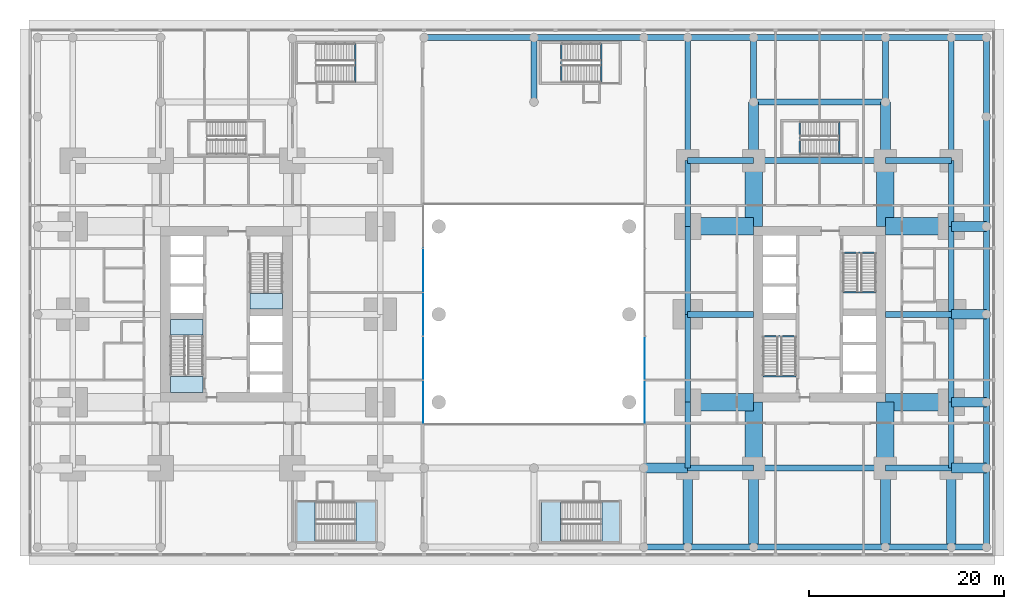
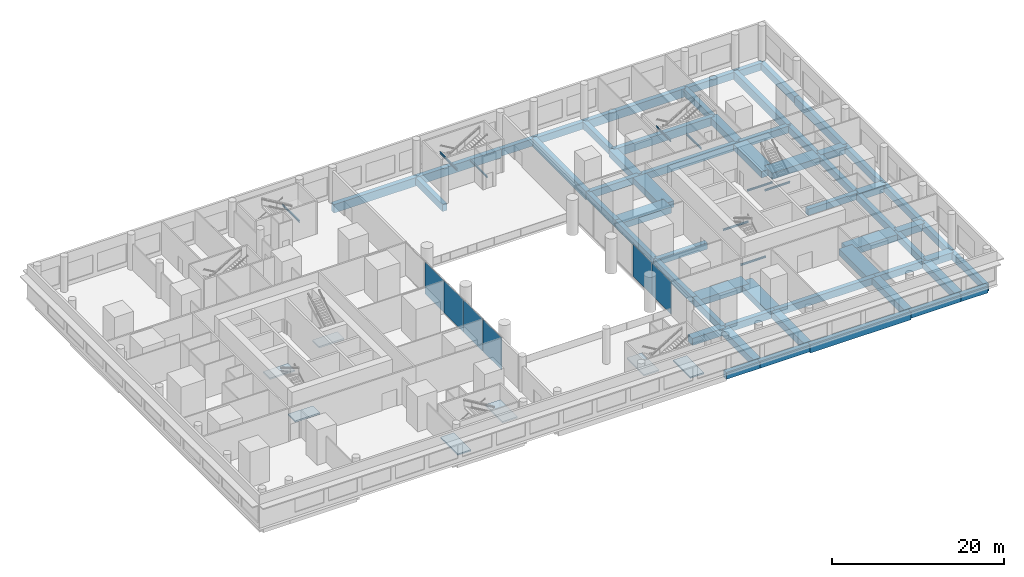
# One storey, part 7 of 21: 68 beams, 7 slabs, 6 plates, 6 elements without a shape of their own.
"""IFC4 building model written with IfcOpenShell, lengths in metres."""

from ifc_helpers import new_model, si_unit, direction, frame, origin, origin_2d, place, context, subcontext, project, spatial, polyline, rectangle, i_section, outline, extrude, material, layer, layer_set, material_profile, profile_set, type_object, element, aggregate, save


model = new_model("IFC4")

# Units and contexts
model_context = context("Model", 3, precision=1e-05, world=origin(), true_north=direction((0.0, 1.0)))
body_context = subcontext(model_context, "Body", "Model", "MODEL_VIEW")
ifc_project = project(units=[si_unit("LENGTHUNIT", "METRE"), si_unit("AREAUNIT", "SQUARE_METRE"), si_unit("VOLUMEUNIT", "CUBIC_METRE"), si_unit("PLANEANGLEUNIT", "RADIAN"), si_unit("MASSUNIT", "GRAM", prefix="KILO")], contexts=[model_context])

# Site, building, storey
site_placement = place(None, origin())
site = spatial("IfcSite", under=ifc_project, at=site_placement, CompositionType="ELEMENT")
building_placement = place(site_placement, origin())
building = spatial("IfcBuilding", under=site, at=building_placement, Name="Namib Vertical Campus", CompositionType="ELEMENT")
storey_placement = place(building_placement, frame((0.0, 0.0, 6.0)))
storey = spatial("IfcBuildingStorey", under=building, at=storey_placement, Name="L01", CompositionType="ELEMENT", Elevation=6.0)

# Beams
ifc_material_1 = material(Name="Concrete C40/50", Category="concrete")
ifc_material_profile_1 = material_profile(ifc_material_1, rectangle(XDim=0.60009765625, YDim=0.89990234375, at=origin_2d()))
ifc_profile_set_1 = profile_set([ifc_material_profile_1], Name="Concrete C40/50")
beam_type_1 = type_object("IfcBeamType", Name="Floor girder RC 600x900", PredefinedType="BEAM", material=ifc_profile_set_1)
for number, where, z_axis, x_axis, name in (
    (1, (67.5, 20.25, -0.75), (1.0, 0.0, 0.0), (0.0, 1.0, 0.0), "Beam B2 L01"),
    (2, (94.5, 20.25, -0.75), (-1.0, 0.0, 0.0), (0.0, -1.0, 0.0), "Beam B2 L01"),
):
    element("IfcBeam", number, at=place(storey_placement, frame(where, z_axis=z_axis, x_axis=x_axis)), inside=storey, type_object=beam_type_1, Name=name, PredefinedType="BEAM", context=body_context, shape_type="SweptSolid", body=[
        extrude(rectangle(XDim=0.60009765625, YDim=0.89990234375, at=origin_2d()), origin(), (0.0, 0.0, 1.0), 6.75),
    ])
ifc_material_2 = material(Name="Steel S355JR", Category="steel")
ifc_material_profile_2 = material_profile(ifc_material_2, i_section(OverallWidth=0.14599609375, OverallDepth=0.25146484375, WebThickness=0.006103515625, FlangeThickness=0.008544921875, FilletRadius=0.007568359375, at=origin_2d()))
ifc_profile_set_2 = profile_set([ifc_material_profile_2], Name="Steel S355JR")
beam_type_2 = type_object("IfcBeamType", Name="Landing trimmer UB 254x146x31", PredefinedType="BEAM", material=ifc_profile_set_2)
for number, where, z_axis, x_axis, name in (
    (3, (75.199951171875, 13.927001953125, -0.125732421875), (1.0, 0.0, 0.0), (0.0, 1.0, 0.0), "Landing trimmer LT1 B-S1 L01 1"),
    (4, (75.199951171875, 17.9931640625, 2.374267578125), (1.0, 0.0, 0.0), (0.0, 1.0, 0.0), "Landing trimmer LT1 B-S1 L01 2"),
    (5, (83.39990234375, 26.572998046875, -0.125732421875), (1.0, 0.0, 0.0), (0.0, 1.0, 0.0), "Landing trimmer LT1 B-S2 L01 1"),
    (6, (83.39990234375, 22.5068359375, 2.374267578125), (1.0, 0.0, 0.0), (0.0, 1.0, 0.0), "Landing trimmer LT1 B-S2 L01 2"),
):
    element("IfcBeam", number, at=place(storey_placement, frame(where, z_axis=z_axis, x_axis=x_axis)), inside=storey, type_object=beam_type_2, Name=name, PredefinedType="BEAM", context=body_context, shape_type="SweptSolid", body=[
        extrude(i_section(OverallWidth=0.14599609375, OverallDepth=0.25146484375, WebThickness=0.006103515625, FlangeThickness=0.008544921875, FilletRadius=0.007568359375, at=origin_2d()), origin(), (0.0, 0.0, 1.0), 3.400146484375),
    ])
for number, where, z_axis, x_axis, name in (
    (7, (33.439208984375, 44.0, 2.374267578125), (0.0, 1.0, 0.0), (-1.0, 0.0, 0.0), "Landing trimmer LT1 P-S1 L01 2"),
    (8, (58.626953125, 44.0, -0.125732421875), (0.0, 1.0, 0.0), (-1.0, 0.0, 0.0), "Landing trimmer LT1 P-S3 L01 1"),
    (9, (54.560791015625, 44.0, 2.374267578125), (0.0, 1.0, 0.0), (-1.0, 0.0, 0.0), "Landing trimmer LT1 P-S3 L01 2"),
):
    element("IfcBeam", number, at=place(storey_placement, frame(where, z_axis=z_axis, x_axis=x_axis)), inside=storey, type_object=beam_type_2, Name=name, PredefinedType="BEAM", context=body_context, shape_type="SweptSolid", body=[
        extrude(i_section(OverallWidth=0.14599609375, OverallDepth=0.25146484375, WebThickness=0.006103515625, FlangeThickness=0.008544921875, FilletRadius=0.007568359375, at=origin_2d()), origin(), (0.0, 0.0, 1.0), 4.0),
    ])
for number, where, z_axis, x_axis, name in (
    (10, (83.02294921875, 36.60009765625, -0.125732421875), (0.0, 1.0, 0.0), (-1.0, 0.0, 0.0), "Landing trimmer LT1 B-S3 L01 1"),
    (11, (78.95703125, 36.60009765625, 2.374267578125), (0.0, 1.0, 0.0), (-1.0, 0.0, 0.0), "Landing trimmer LT1 B-S3 L01 2"),
):
    element("IfcBeam", number, at=place(storey_placement, frame(where, z_axis=z_axis, x_axis=x_axis)), inside=storey, type_object=beam_type_2, Name=name, PredefinedType="BEAM", context=body_context, shape_type="SweptSolid", body=[
        extrude(i_section(OverallWidth=0.14599609375, OverallDepth=0.25146484375, WebThickness=0.006103515625, FlangeThickness=0.008544921875, FilletRadius=0.007568359375, at=origin_2d()), origin(), (0.0, 0.0, 1.0), 3.39990234375),
    ])
ifc_material_3 = material(Name="Concrete C40/50", Category="concrete")
ifc_material_profile_3 = material_profile(ifc_material_3, rectangle(XDim=0.60009765625, YDim=1.199951171875, at=origin_2d()))
ifc_profile_set_3 = profile_set([ifc_material_profile_3], Name="Concrete C40/50")
beam_type_3 = type_object("IfcBeamType", Name="Long-span podium beam RC 600x1200", PredefinedType="BEAM", material=ifc_profile_set_3)
for number, where, z_axis, x_axis, name in (
    (12, (67.5, 36.0, -0.89990234375), (0.0, 1.0, 0.0), (-1.0, 0.0, 0.0), "Beam PB4 L01"),
    (13, (94.5, 36.0, -0.89990234375), (0.0, 1.0, 0.0), (-1.0, 0.0, 0.0), "Beam PB4 L01"),
):
    element("IfcBeam", number, at=place(storey_placement, frame(where, z_axis=z_axis, x_axis=x_axis)), inside=storey, type_object=beam_type_3, Name=name, PredefinedType="BEAM", context=body_context, shape_type="SweptSolid", body=[
        extrude(rectangle(XDim=0.60009765625, YDim=1.199951171875, at=origin_2d()), origin(), (0.0, 0.0, 1.0), 12.60009765625),
    ])
beam_1_placement = place(storey_placement, frame((98.10009765625, 29.25, -0.89990234375), z_axis=(0.0, 1.0, 0.0), x_axis=(-1.0, 0.0, 0.0)))
element("IfcBeam", 14, at=beam_1_placement, inside=storey, type_object=beam_type_3, Name="Beam PB4 L01", PredefinedType="BEAM", context=body_context, shape_type="SweptSolid", body=[
    extrude(rectangle(XDim=0.60009765625, YDim=1.199951171875, at=origin_2d()), origin(), (0.0, 0.0, 1.0), 11.25),
])
for number, where, z_axis, x_axis, name in (
    (15, (74.25, -3.60009765625, -0.89990234375), (1.0, 0.0, 0.0), (0.0, 1.0, 0.0), "Beam PB4 L01"),
    (16, (74.25, 42.0, -0.89990234375), (1.0, 0.0, 0.0), (0.0, 1.0, 0.0), "Beam PB4 L01"),
):
    element("IfcBeam", number, at=place(storey_placement, frame(where, z_axis=z_axis, x_axis=x_axis)), inside=storey, type_object=beam_type_3, Name=name, PredefinedType="BEAM", context=body_context, shape_type="SweptSolid", body=[
        extrude(rectangle(XDim=0.60009765625, YDim=1.199951171875, at=origin_2d()), origin(), (0.0, 0.0, 1.0), 13.5),
    ])
for number, where, z_axis, x_axis, name in (
    (17, (40.5, 48.60009765625, -0.89990234375), (1.0, 0.0, 0.0), (0.0, 1.0, 0.0), "Beam PB4 L01"),
    (18, (51.75, 48.60009765625, -0.89990234375), (1.0, 0.0, 0.0), (0.0, 1.0, 0.0), "Beam PB4 L01"),
):
    element("IfcBeam", number, at=place(storey_placement, frame(where, z_axis=z_axis, x_axis=x_axis)), inside=storey, type_object=beam_type_3, Name=name, PredefinedType="BEAM", context=body_context, shape_type="SweptSolid", body=[
        extrude(rectangle(XDim=0.60009765625, YDim=1.199951171875, at=origin_2d()), origin(), (0.0, 0.0, 1.0), 11.25),
    ])
beam_2_placement = place(storey_placement, frame((74.25, 48.60009765625, -0.89990234375), z_axis=(1.0, 0.0, 0.0), x_axis=(0.0, 1.0, 0.0)))
element("IfcBeam", 19, at=beam_2_placement, inside=storey, type_object=beam_type_3, Name="Beam PB4 L01", PredefinedType="BEAM", context=body_context, shape_type="SweptSolid", body=[
    extrude(rectangle(XDim=0.60009765625, YDim=1.199951171875, at=origin_2d()), origin(), (0.0, 0.0, 1.0), 13.5),
])
ifc_material_4 = material(Name="Concrete C40/50", Category="concrete")
ifc_material_profile_4 = material_profile(ifc_material_4, rectangle(XDim=1.800048828125, YDim=0.89990234375, at=origin_2d()))
ifc_profile_set_4 = profile_set([ifc_material_profile_4], Name="Concrete C40/50")
beam_type_4 = type_object("IfcBeamType", Name="Outrigger line girder RC 1800x900", PredefinedType="BEAM", material=ifc_profile_set_4)
for number, where, z_axis, x_axis, name in (
    (20, (74.25, 4.5, -0.75), (0.0, 1.0, 0.0), (-1.0, 0.0, 0.0), "Beam B12 L01"),
    (21, (74.25, 36.0, -0.75), (0.0, -1.0, 0.0), (1.0, 0.0, 0.0), "Beam B12 L01"),
    (22, (87.75, 4.5, -0.75), (0.0, 1.0, 0.0), (-1.0, 0.0, 0.0), "Beam B12 L01"),
    (23, (87.75, 36.0, -0.75), (0.0, -1.0, 0.0), (1.0, 0.0, 0.0), "Beam B12 L01"),
    (24, (67.5, 11.25, -0.75), (1.0, 0.0, 0.0), (0.0, 1.0, 0.0), "Beam B12 L01"),
    (25, (94.5, 11.25, -0.75), (-1.0, 0.0, 0.0), (0.0, -1.0, 0.0), "Beam B12 L01"),
    (26, (67.5, 29.25, -0.75), (1.0, 0.0, 0.0), (0.0, 1.0, 0.0), "Beam B12 L01"),
    (27, (94.5, 29.25, -0.75), (-1.0, 0.0, 0.0), (0.0, -1.0, 0.0), "Beam B12 L01"),
):
    element("IfcBeam", number, at=place(storey_placement, frame(where, z_axis=z_axis, x_axis=x_axis)), inside=storey, type_object=beam_type_4, Name=name, PredefinedType="BEAM", context=body_context, shape_type="SweptSolid", body=[
        extrude(rectangle(XDim=1.800048828125, YDim=0.89990234375, at=origin_2d()), origin(), (0.0, 0.0, 1.0), 6.75),
    ])
ifc_material_5 = material(Name="Concrete C40/50", Category="concrete")
ifc_material_profile_5 = material_profile(ifc_material_5, rectangle(XDim=0.60009765625, YDim=1.0, at=origin_2d()))
ifc_profile_set_5 = profile_set([ifc_material_profile_5], Name="Concrete C40/50")
beam_type_5 = type_object("IfcBeamType", Name="Podium beam RC 600x1000", PredefinedType="BEAM", material=ifc_profile_set_5)
for number, where, z_axis, x_axis, name in (
    (28, (51.75, 42.0, -0.800048828125), (0.0, 1.0, 0.0), (-1.0, 0.0, 0.0), "Beam PB1 L01"),
    (29, (74.25, 42.0, -0.800048828125), (0.0, 1.0, 0.0), (-1.0, 0.0, 0.0), "Beam PB1 L01"),
    (30, (87.75, 42.0, -0.800048828125), (0.0, 1.0, 0.0), (-1.0, 0.0, 0.0), "Beam PB1 L01"),
):
    element("IfcBeam", number, at=place(storey_placement, frame(where, z_axis=z_axis, x_axis=x_axis)), inside=storey, type_object=beam_type_5, Name=name, PredefinedType="BEAM", context=body_context, shape_type="SweptSolid", body=[
        extrude(rectangle(XDim=0.60009765625, YDim=1.0, at=origin_2d()), origin(), (0.0, 0.0, 1.0), 6.60009765625),
    ])
beam_3_placement = place(storey_placement, frame((98.10009765625, -3.60009765625, -0.800048828125), z_axis=(0.0, 1.0, 0.0), x_axis=(-1.0, 0.0, 0.0)))
element("IfcBeam", 31, at=beam_3_placement, inside=storey, type_object=beam_type_5, Name="Beam PB1 L01", PredefinedType="BEAM", context=body_context, shape_type="SweptSolid", body=[
    extrude(rectangle(XDim=0.60009765625, YDim=1.0, at=origin_2d()), origin(), (0.0, 0.0, 1.0), 8.10009765625),
])
beam_4_placement = place(storey_placement, frame((98.10009765625, 4.5, -0.800048828125), z_axis=(0.0, 1.0, 0.0), x_axis=(-1.0, 0.0, 0.0)))
element("IfcBeam", 32, at=beam_4_placement, inside=storey, type_object=beam_type_5, Name="Beam PB1 L01", PredefinedType="BEAM", context=body_context, shape_type="SweptSolid", body=[
    extrude(rectangle(XDim=0.60009765625, YDim=1.0, at=origin_2d()), origin(), (0.0, 0.0, 1.0), 6.75),
])
for number, where, z_axis, x_axis, name in (
    (33, (98.10009765625, 11.25, -0.800048828125), (0.0, 1.0, 0.0), (-1.0, 0.0, 0.0), "Beam PB1 L01"),
    (34, (98.10009765625, 20.25, -0.800048828125), (0.0, 1.0, 0.0), (-1.0, 0.0, 0.0), "Beam PB1 L01"),
):
    element("IfcBeam", number, at=place(storey_placement, frame(where, z_axis=z_axis, x_axis=x_axis)), inside=storey, type_object=beam_type_5, Name=name, PredefinedType="BEAM", context=body_context, shape_type="SweptSolid", body=[
        extrude(rectangle(XDim=0.60009765625, YDim=1.0, at=origin_2d()), origin(), (0.0, 0.0, 1.0), 9.0),
    ])
beam_5_placement = place(storey_placement, frame((98.10009765625, 40.5, -0.800048828125), z_axis=(0.0, 1.0, 0.0), x_axis=(-1.0, 0.0, 0.0)))
element("IfcBeam", 35, at=beam_5_placement, inside=storey, type_object=beam_type_5, Name="Beam PB1 L01", PredefinedType="BEAM", context=body_context, shape_type="SweptSolid", body=[
    extrude(rectangle(XDim=0.60009765625, YDim=1.0, at=origin_2d()), origin(), (0.0, 0.0, 1.0), 8.10009765625),
])
beam_6_placement = place(storey_placement, frame((63.0, -3.60009765625, -0.800048828125), z_axis=(1.0, 0.0, 0.0), x_axis=(0.0, 1.0, 0.0)))
element("IfcBeam", 36, at=beam_6_placement, inside=storey, type_object=beam_type_5, Name="Beam PB1 L01", PredefinedType="BEAM", context=body_context, shape_type="SweptSolid", body=[
    extrude(rectangle(XDim=0.60009765625, YDim=1.0, at=origin_2d()), origin(), (0.0, 0.0, 1.0), 4.5),
])
for number, where, z_axis, x_axis, name in (
    (37, (67.5, -3.60009765625, -0.800048828125), (1.0, 0.0, 0.0), (0.0, 1.0, 0.0), "Beam PB1 L01"),
    (38, (87.75, -3.60009765625, -0.800048828125), (1.0, 0.0, 0.0), (0.0, 1.0, 0.0), "Beam PB1 L01"),
):
    element("IfcBeam", number, at=place(storey_placement, frame(where, z_axis=z_axis, x_axis=x_axis)), inside=storey, type_object=beam_type_5, Name=name, PredefinedType="BEAM", context=body_context, shape_type="SweptSolid", body=[
        extrude(rectangle(XDim=0.60009765625, YDim=1.0, at=origin_2d()), origin(), (0.0, 0.0, 1.0), 6.75),
    ])
beam_7_placement = place(storey_placement, frame((94.5, -3.60009765625, -0.800048828125), z_axis=(1.0, 0.0, 0.0), x_axis=(0.0, 1.0, 0.0)))
element("IfcBeam", 39, at=beam_7_placement, inside=storey, type_object=beam_type_5, Name="Beam PB1 L01", PredefinedType="BEAM", context=body_context, shape_type="SweptSolid", body=[
    extrude(rectangle(XDim=0.60009765625, YDim=1.0, at=origin_2d()), origin(), (0.0, 0.0, 1.0), 3.60009765625),
])
beam_8_placement = place(storey_placement, frame((63.0, 48.60009765625, -0.800048828125), z_axis=(1.0, 0.0, 0.0), x_axis=(0.0, 1.0, 0.0)))
element("IfcBeam", 40, at=beam_8_placement, inside=storey, type_object=beam_type_5, Name="Beam PB1 L01", PredefinedType="BEAM", context=body_context, shape_type="SweptSolid", body=[
    extrude(rectangle(XDim=0.60009765625, YDim=1.0, at=origin_2d()), origin(), (0.0, 0.0, 1.0), 4.5),
])
for number, where, z_axis, x_axis, name in (
    (41, (67.5, 48.60009765625, -0.800048828125), (1.0, 0.0, 0.0), (0.0, 1.0, 0.0), "Beam PB1 L01"),
    (42, (87.75, 48.60009765625, -0.800048828125), (1.0, 0.0, 0.0), (0.0, 1.0, 0.0), "Beam PB1 L01"),
):
    element("IfcBeam", number, at=place(storey_placement, frame(where, z_axis=z_axis, x_axis=x_axis)), inside=storey, type_object=beam_type_5, Name=name, PredefinedType="BEAM", context=body_context, shape_type="SweptSolid", body=[
        extrude(rectangle(XDim=0.60009765625, YDim=1.0, at=origin_2d()), origin(), (0.0, 0.0, 1.0), 6.75),
    ])
beam_9_placement = place(storey_placement, frame((94.5, 48.60009765625, -0.800048828125), z_axis=(1.0, 0.0, 0.0), x_axis=(0.0, 1.0, 0.0)))
element("IfcBeam", 43, at=beam_9_placement, inside=storey, type_object=beam_type_5, Name="Beam PB1 L01", PredefinedType="BEAM", context=body_context, shape_type="SweptSolid", body=[
    extrude(rectangle(XDim=0.60009765625, YDim=1.0, at=origin_2d()), origin(), (0.0, 0.0, 1.0), 3.60009765625),
])
ifc_material_6 = material(Name="Concrete C40/50", Category="concrete")
ifc_material_profile_6 = material_profile(ifc_material_6, rectangle(XDim=0.60009765625, YDim=1.0, at=origin_2d()))
ifc_profile_set_6 = profile_set([ifc_material_profile_6], Name="Concrete C40/50")
beam_type_6 = type_object("IfcBeamType", Name="Podium ring beam RC 600x1000", PredefinedType="BEAM", material=ifc_profile_set_6)
beam_10_placement = place(storey_placement, frame((67.5, 4.5, -0.800048828125), z_axis=(1.0, 0.0, 0.0), x_axis=(0.0, 1.0, 0.0)))
element("IfcBeam", 44, at=beam_10_placement, inside=storey, type_object=beam_type_6, Name="Beam B6 L01", PredefinedType="BEAM", context=body_context, shape_type="SweptSolid", body=[
    extrude(rectangle(XDim=0.60009765625, YDim=1.0, at=origin_2d()), origin(), (0.0, 0.0, 1.0), 6.75),
])
beam_11_placement = place(storey_placement, frame((74.25, 4.5, -0.800048828125), z_axis=(1.0, 0.0, 0.0), x_axis=(0.0, 1.0, 0.0)))
element("IfcBeam", 45, at=beam_11_placement, inside=storey, type_object=beam_type_6, Name="Beam B6 L01", PredefinedType="BEAM", context=body_context, shape_type="SweptSolid", body=[
    extrude(rectangle(XDim=0.60009765625, YDim=1.0, at=origin_2d()), origin(), (0.0, 0.0, 1.0), 13.5),
])
for number, where, z_axis, x_axis, name in (
    (46, (87.75, 4.5, -0.800048828125), (1.0, 0.0, 0.0), (0.0, 1.0, 0.0), "Beam B6 L01"),
    (47, (67.5, 36.0, -0.800048828125), (1.0, 0.0, 0.0), (0.0, 1.0, 0.0), "Beam B6 L01"),
):
    element("IfcBeam", number, at=place(storey_placement, frame(where, z_axis=z_axis, x_axis=x_axis)), inside=storey, type_object=beam_type_6, Name=name, PredefinedType="BEAM", context=body_context, shape_type="SweptSolid", body=[
        extrude(rectangle(XDim=0.60009765625, YDim=1.0, at=origin_2d()), origin(), (0.0, 0.0, 1.0), 6.75),
    ])
beam_12_placement = place(storey_placement, frame((74.25, 36.0, -0.800048828125), z_axis=(1.0, 0.0, 0.0), x_axis=(0.0, 1.0, 0.0)))
element("IfcBeam", 48, at=beam_12_placement, inside=storey, type_object=beam_type_6, Name="Beam B6 L01", PredefinedType="BEAM", context=body_context, shape_type="SweptSolid", body=[
    extrude(rectangle(XDim=0.60009765625, YDim=1.0, at=origin_2d()), origin(), (0.0, 0.0, 1.0), 13.5),
])
for number, where, z_axis, x_axis, name in (
    (49, (87.75, 36.0, -0.800048828125), (1.0, 0.0, 0.0), (0.0, 1.0, 0.0), "Beam B6 L01"),
    (50, (67.5, 4.5, -0.800048828125), (0.0, 1.0, 0.0), (-1.0, 0.0, 0.0), "Beam B6 L01"),
):
    element("IfcBeam", number, at=place(storey_placement, frame(where, z_axis=z_axis, x_axis=x_axis)), inside=storey, type_object=beam_type_6, Name=name, PredefinedType="BEAM", context=body_context, shape_type="SweptSolid", body=[
        extrude(rectangle(XDim=0.60009765625, YDim=1.0, at=origin_2d()), origin(), (0.0, 0.0, 1.0), 6.75),
    ])
for number, where, z_axis, x_axis, name in (
    (51, (67.5, 11.25, -0.800048828125), (0.0, 1.0, 0.0), (-1.0, 0.0, 0.0), "Beam B6 L01"),
    (52, (67.5, 20.25, -0.800048828125), (0.0, 1.0, 0.0), (-1.0, 0.0, 0.0), "Beam B6 L01"),
):
    element("IfcBeam", number, at=place(storey_placement, frame(where, z_axis=z_axis, x_axis=x_axis)), inside=storey, type_object=beam_type_6, Name=name, PredefinedType="BEAM", context=body_context, shape_type="SweptSolid", body=[
        extrude(rectangle(XDim=0.60009765625, YDim=1.0, at=origin_2d()), origin(), (0.0, 0.0, 1.0), 9.0),
    ])
for number, where, z_axis, x_axis, name in (
    (53, (67.5, 29.25, -0.800048828125), (0.0, 1.0, 0.0), (-1.0, 0.0, 0.0), "Beam B6 L01"),
    (54, (94.5, 4.5, -0.800048828125), (0.0, 1.0, 0.0), (-1.0, 0.0, 0.0), "Beam B6 L01"),
):
    element("IfcBeam", number, at=place(storey_placement, frame(where, z_axis=z_axis, x_axis=x_axis)), inside=storey, type_object=beam_type_6, Name=name, PredefinedType="BEAM", context=body_context, shape_type="SweptSolid", body=[
        extrude(rectangle(XDim=0.60009765625, YDim=1.0, at=origin_2d()), origin(), (0.0, 0.0, 1.0), 6.75),
    ])
for number, where, z_axis, x_axis, name in (
    (55, (94.5, 11.25, -0.800048828125), (0.0, 1.0, 0.0), (-1.0, 0.0, 0.0), "Beam B6 L01"),
    (56, (94.5, 20.25, -0.800048828125), (0.0, 1.0, 0.0), (-1.0, 0.0, 0.0), "Beam B6 L01"),
):
    element("IfcBeam", number, at=place(storey_placement, frame(where, z_axis=z_axis, x_axis=x_axis)), inside=storey, type_object=beam_type_6, Name=name, PredefinedType="BEAM", context=body_context, shape_type="SweptSolid", body=[
        extrude(rectangle(XDim=0.60009765625, YDim=1.0, at=origin_2d()), origin(), (0.0, 0.0, 1.0), 9.0),
    ])
beam_13_placement = place(storey_placement, frame((94.5, 29.25, -0.800048828125), z_axis=(0.0, 1.0, 0.0), x_axis=(-1.0, 0.0, 0.0)))
element("IfcBeam", 57, at=beam_13_placement, inside=storey, type_object=beam_type_6, Name="Beam B6 L01", PredefinedType="BEAM", context=body_context, shape_type="SweptSolid", body=[
    extrude(rectangle(XDim=0.60009765625, YDim=1.0, at=origin_2d()), origin(), (0.0, 0.0, 1.0), 6.75),
])
ifc_material_7 = material(Name="Concrete C40/50", Category="concrete")
ifc_material_profile_7 = material_profile(ifc_material_7, rectangle(XDim=1.0, YDim=1.0, at=origin_2d()))
ifc_profile_set_7 = profile_set([ifc_material_profile_7], Name="Concrete C40/50")
beam_type_7 = type_object("IfcBeamType", Name="Podium tie beam RC 1000x1000", PredefinedType="BEAM", material=ifc_profile_set_7)
for number, where, z_axis, x_axis, name in (
    (58, (67.5, -3.60009765625, -0.800048828125), (0.0, 1.0, 0.0), (-1.0, 0.0, 0.0), "Beam PB3 L01"),
    (59, (74.25, -3.60009765625, -0.800048828125), (0.0, 1.0, 0.0), (-1.0, 0.0, 0.0), "Beam PB3 L01"),
):
    element("IfcBeam", number, at=place(storey_placement, frame(where, z_axis=z_axis, x_axis=x_axis)), inside=storey, type_object=beam_type_7, Name=name, PredefinedType="BEAM", context=body_context, shape_type="SweptSolid", body=[
        extrude(rectangle(XDim=1.0, YDim=1.0, at=origin_2d()), origin(), (0.0, 0.0, 1.0), 8.10009765625),
    ])
beam_14_placement = place(storey_placement, frame((74.25, 36.0, -0.800048828125), z_axis=(0.0, 1.0, 0.0), x_axis=(-1.0, 0.0, 0.0)))
element("IfcBeam", 60, at=beam_14_placement, inside=storey, type_object=beam_type_7, Name="Beam PB3 L01", PredefinedType="BEAM", context=body_context, shape_type="SweptSolid", body=[
    extrude(rectangle(XDim=1.0, YDim=1.0, at=origin_2d()), origin(), (0.0, 0.0, 1.0), 6.0),
])
beam_15_placement = place(storey_placement, frame((87.75, -3.60009765625, -0.800048828125), z_axis=(0.0, 1.0, 0.0), x_axis=(-1.0, 0.0, 0.0)))
element("IfcBeam", 61, at=beam_15_placement, inside=storey, type_object=beam_type_7, Name="Beam PB3 L01", PredefinedType="BEAM", context=body_context, shape_type="SweptSolid", body=[
    extrude(rectangle(XDim=1.0, YDim=1.0, at=origin_2d()), origin(), (0.0, 0.0, 1.0), 8.10009765625),
])
beam_16_placement = place(storey_placement, frame((87.75, 36.0, -0.800048828125), z_axis=(0.0, 1.0, 0.0), x_axis=(-1.0, 0.0, 0.0)))
element("IfcBeam", 62, at=beam_16_placement, inside=storey, type_object=beam_type_7, Name="Beam PB3 L01", PredefinedType="BEAM", context=body_context, shape_type="SweptSolid", body=[
    extrude(rectangle(XDim=1.0, YDim=1.0, at=origin_2d()), origin(), (0.0, 0.0, 1.0), 6.0),
])
beam_17_placement = place(storey_placement, frame((94.5, -3.60009765625, -0.800048828125), z_axis=(0.0, 1.0, 0.0), x_axis=(-1.0, 0.0, 0.0)))
element("IfcBeam", 63, at=beam_17_placement, inside=storey, type_object=beam_type_7, Name="Beam PB3 L01", PredefinedType="BEAM", context=body_context, shape_type="SweptSolid", body=[
    extrude(rectangle(XDim=1.0, YDim=1.0, at=origin_2d()), origin(), (0.0, 0.0, 1.0), 8.10009765625),
])
beam_18_placement = place(storey_placement, frame((63.0, 4.5, -0.800048828125), z_axis=(1.0, 0.0, 0.0), x_axis=(0.0, 1.0, 0.0)))
element("IfcBeam", 64, at=beam_18_placement, inside=storey, type_object=beam_type_7, Name="Beam PB3 L01", PredefinedType="BEAM", context=body_context, shape_type="SweptSolid", body=[
    extrude(rectangle(XDim=1.0, YDim=1.0, at=origin_2d()), origin(), (0.0, 0.0, 1.0), 4.5),
])
for number, where, z_axis, x_axis, name in (
    (65, (94.5, 4.5, -0.800048828125), (1.0, 0.0, 0.0), (0.0, 1.0, 0.0), "Beam PB3 L01"),
    (66, (94.5, 11.25, -0.800048828125), (1.0, 0.0, 0.0), (0.0, 1.0, 0.0), "Beam PB3 L01"),
    (67, (94.5, 20.25, -0.800048828125), (1.0, 0.0, 0.0), (0.0, 1.0, 0.0), "Beam PB3 L01"),
    (68, (94.5, 29.25, -0.800048828125), (1.0, 0.0, 0.0), (0.0, 1.0, 0.0), "Beam PB3 L01"),
):
    element("IfcBeam", number, at=place(storey_placement, frame(where, z_axis=z_axis, x_axis=x_axis)), inside=storey, type_object=beam_type_7, Name=name, PredefinedType="BEAM", context=body_context, shape_type="SweptSolid", body=[
        extrude(rectangle(XDim=1.0, YDim=1.0, at=origin_2d()), origin(), (0.0, 0.0, 1.0), 3.60009765625),
    ])

# Curtain wall, plates
ifc_material_8 = material(Name="Black aluminium curtain wall", Category="aluminium")
ifc_layer_1 = layer(ifc_material_8, 0.199951171875)
ifc_layer_set_1 = layer_set([ifc_layer_1], Name="Atrium screen curtain wall CW-AT")
curtain_wall_type = type_object("IfcCurtainWallType", Name="Atrium screen curtain wall CW-AT", PredefinedType="USERDEFINED", material=ifc_layer_set_1)
curtain_wall_1_placement = place(storey_placement, origin())
curtain_wall_1 = element("IfcCurtainWall", 69, at=curtain_wall_1_placement, inside=storey, type_object=curtain_wall_type, Name="Curtain wall CW-AT atrium A L01 1", ObjectType="CURTAIN WALL", PredefinedType="USERDEFINED")
ifc_material_9 = material(Name="Dark tinted glass", Category="glass")
ifc_layer_2 = layer(ifc_material_9, 0.028076171875)
ifc_layer_set_2 = layer_set([ifc_layer_2], Name="Dark solar glass panel 28")
plate_type = type_object("IfcPlateType", Name="Dark solar glass panel 28", PredefinedType="CURTAIN_PANEL", material=ifc_layer_set_2)
plate_1_placement = place(storey_placement, frame((40.39990234375, 11.264892578125, 0.06005859375), z_axis=(0.0, 0.0, 1.0), x_axis=(0.0, 1.0, 0.0)))
plate_1 = element("IfcPlate", 70, at=plate_1_placement, type_object=plate_type, Name="CW-AT panel 1.1", PredefinedType="CURTAIN_PANEL", context=body_context, shape_type="SweptSolid", body=[
    extrude(rectangle(XDim=4.409912109375, YDim=0.028076171875, at=origin_2d()), origin(), (0.0, 0.0, 1.0), 4.580078125),
])
plate_2_placement = place(storey_placement, frame((40.39990234375, 15.75, 0.06005859375), z_axis=(0.0, 0.0, 1.0), x_axis=(0.0, 1.0, 0.0)))
plate_2 = element("IfcPlate", 71, at=plate_2_placement, type_object=plate_type, Name="CW-AT panel 2.1", PredefinedType="CURTAIN_PANEL", context=body_context, shape_type="SweptSolid", body=[
    extrude(rectangle(XDim=4.43994140625, YDim=0.028076171875, at=origin_2d()), origin(), (0.0, 0.0, 1.0), 4.580078125),
])
plate_3_placement = place(storey_placement, frame((40.39990234375, 20.25, 0.06005859375), z_axis=(0.0, 0.0, 1.0), x_axis=(0.0, 1.0, 0.0)))
plate_3 = element("IfcPlate", 72, at=plate_3_placement, type_object=plate_type, Name="CW-AT panel 3.1", PredefinedType="CURTAIN_PANEL", context=body_context, shape_type="SweptSolid", body=[
    extrude(rectangle(XDim=4.43994140625, YDim=0.028076171875, at=origin_2d()), origin(), (0.0, 0.0, 1.0), 4.580078125),
])
plate_4_placement = place(storey_placement, frame((40.39990234375, 24.75, 0.06005859375), z_axis=(0.0, 0.0, 1.0), x_axis=(0.0, 1.0, 0.0)))
plate_4 = element("IfcPlate", 73, at=plate_4_placement, type_object=plate_type, Name="CW-AT panel 4.1", PredefinedType="CURTAIN_PANEL", context=body_context, shape_type="SweptSolid", body=[
    extrude(rectangle(XDim=4.43994140625, YDim=0.028076171875, at=origin_2d()), origin(), (0.0, 0.0, 1.0), 4.580078125),
])
aggregate(curtain_wall_1, [plate_1, plate_2, plate_3, plate_4])

curtain_wall_2_placement = place(storey_placement, origin())
curtain_wall_2 = element("IfcCurtainWall", 74, at=curtain_wall_2_placement, inside=storey, type_object=curtain_wall_type, Name="Curtain wall CW-AT atrium B L01 1", ObjectType="CURTAIN WALL", PredefinedType="USERDEFINED")
plate_5_placement = place(storey_placement, frame((63.10009765625, 11.264892578125, 0.06005859375), z_axis=(0.0, 0.0, 1.0), x_axis=(0.0, 1.0, 0.0)))
plate_5 = element("IfcPlate", 75, at=plate_5_placement, type_object=plate_type, Name="CW-AT panel 1.1", PredefinedType="CURTAIN_PANEL", context=body_context, shape_type="SweptSolid", body=[
    extrude(rectangle(XDim=4.409912109375, YDim=0.028076171875, at=origin_2d()), origin(), (0.0, 0.0, 1.0), 4.580078125),
])
plate_6_placement = place(storey_placement, frame((63.10009765625, 15.75, 0.06005859375), z_axis=(0.0, 0.0, 1.0), x_axis=(0.0, 1.0, 0.0)))
plate_6 = element("IfcPlate", 76, at=plate_6_placement, type_object=plate_type, Name="CW-AT panel 2.1", PredefinedType="CURTAIN_PANEL", context=body_context, shape_type="SweptSolid", body=[
    extrude(rectangle(XDim=4.43994140625, YDim=0.028076171875, at=origin_2d()), origin(), (0.0, 0.0, 1.0), 4.580078125),
])
aggregate(curtain_wall_2, [plate_5, plate_6])

# Stair, slabs
ifc_material_10 = material(Name="Concrete C40/50 precast", Category="concrete")
stair_type_1 = type_object("IfcStairType", Name="Exit stair 5000 rise 30 risers 3350 wide", PredefinedType="HALF_TURN_STAIR", material=ifc_material_10)
stair_1_placement = place(storey_placement, origin())
stair_1 = element("IfcStair", 77, at=stair_1_placement, inside=storey, type_object=stair_type_1, Name="Exit stair A-S1 L01", PredefinedType="HALF_TURN_STAIR")
ifc_material_11 = material(Name="Concrete C40/50", Category="concrete")
ifc_layer_3 = layer(ifc_material_11, 0.199951171875)
ifc_layer_set_3 = layer_set([ifc_layer_3], Name="Concrete C40/50")
slab_type = type_object("IfcSlabType", Name="Stair landing 200", PredefinedType="LANDING", material=ifc_layer_set_3)
slab_1_placement = place(storey_placement, frame((0.0, 0.0, -0.199951171875)))
slab_1 = element("IfcSlab", 78, at=slab_1_placement, type_object=slab_type, Name="A-S1 landing 1", PredefinedType="LANDING", context=body_context, shape_type="SweptSolid", body=[
    extrude(outline(polyline([(14.5, 12.25), (17.85009765625, 12.25), (17.85009765625, 13.90380859375), (14.5, 13.90380859375), (14.5, 12.25)])), origin(), (0.0, 0.0, 1.0), 0.199951171875),
])
slab_2_placement = place(storey_placement, frame((0.0, 0.0, 2.300048828125)))
slab_2 = element("IfcSlab", 79, at=slab_2_placement, type_object=slab_type, Name="A-S1 landing 2", PredefinedType="LANDING", context=body_context, shape_type="SweptSolid", body=[
    extrude(outline(polyline([(14.5, 18.1162109375), (17.85009765625, 18.1162109375), (17.85009765625, 19.699951171875), (14.5, 19.699951171875), (14.5, 18.1162109375)])), origin(), (0.0, 0.0, 1.0), 0.199951171875),
])
aggregate(stair_1, [slab_1, slab_2])

# Stair, slab
stair_2_placement = place(storey_placement, origin())
stair_2 = element("IfcStair", 80, at=stair_2_placement, inside=storey, type_object=stair_type_1, Name="Exit stair A-S2 L01", PredefinedType="HALF_TURN_STAIR")
slab_3_placement = place(storey_placement, frame((0.0, 0.0, 2.300048828125)))
slab_3 = element("IfcSlab", 81, at=slab_3_placement, type_object=slab_type, Name="A-S2 landing 2", PredefinedType="LANDING", context=body_context, shape_type="SweptSolid", body=[
    extrude(outline(polyline([(22.64990234375, 20.800048828125), (26.0, 20.800048828125), (26.0, 22.3837890625), (22.64990234375, 22.3837890625), (22.64990234375, 20.800048828125)])), origin(), (0.0, 0.0, 1.0), 0.199951171875),
])
aggregate(stair_2, [slab_3])

# Stair, slabs
ifc_material_12 = material(Name="Concrete C40/50 precast", Category="concrete")
stair_type_2 = type_object("IfcStairType", Name="Podium exit stair 5000 rise 30 risers 1800 flights", PredefinedType="HALF_TURN_STAIR", material=ifc_material_12)
stair_3_placement = place(storey_placement, origin())
stair_3 = element("IfcStair", 82, at=stair_3_placement, inside=storey, type_object=stair_type_2, Name="Exit stair P-S2 L01", PredefinedType="HALF_TURN_STAIR")
slab_4_placement = place(storey_placement, frame((0.0, 0.0, -0.199951171875)))
slab_4 = element("IfcSlab", 83, at=slab_4_placement, type_object=slab_type, Name="P-S2 landing 1", PredefinedType="LANDING", context=body_context, shape_type="SweptSolid", body=[
    extrude(outline(polyline([(27.5, -3.0), (27.5, 1.0), (29.300048828125, 1.0), (29.300048828125, -3.0), (27.5, -3.0)])), origin(), (0.0, 0.0, 1.0), 0.199951171875),
])
slab_5_placement = place(storey_placement, frame((0.0, 0.0, 2.300048828125)))
slab_5 = element("IfcSlab", 84, at=slab_5_placement, type_object=slab_type, Name="P-S2 landing 2", PredefinedType="LANDING", context=body_context, shape_type="SweptSolid", body=[
    extrude(outline(polyline([(33.51220703125, -3.0), (33.51220703125, 1.0), (35.5, 1.0), (35.5, -3.0), (33.51220703125, -3.0)])), origin(), (0.0, 0.0, 1.0), 0.199951171875),
])
aggregate(stair_3, [slab_4, slab_5])

stair_4_placement = place(storey_placement, origin())
stair_4 = element("IfcStair", 85, at=stair_4_placement, inside=storey, type_object=stair_type_2, Name="Exit stair P-S4 L01", PredefinedType="HALF_TURN_STAIR")
slab_6_placement = place(storey_placement, frame((0.0, 0.0, -0.199951171875)))
slab_6 = element("IfcSlab", 86, at=slab_6_placement, type_object=slab_type, Name="P-S4 landing 1", PredefinedType="LANDING", context=body_context, shape_type="SweptSolid", body=[
    extrude(outline(polyline([(58.699951171875, -3.0), (58.699951171875, 1.0), (60.5, 1.0), (60.5, -3.0), (58.699951171875, -3.0)])), origin(), (0.0, 0.0, 1.0), 0.199951171875),
])
slab_7_placement = place(storey_placement, frame((0.0, 0.0, 2.300048828125)))
slab_7 = element("IfcSlab", 87, at=slab_7_placement, type_object=slab_type, Name="P-S4 landing 2", PredefinedType="LANDING", context=body_context, shape_type="SweptSolid", body=[
    extrude(outline(polyline([(52.5, -3.0), (52.5, 1.0), (54.48779296875, 1.0), (54.48779296875, -3.0), (52.5, -3.0)])), origin(), (0.0, 0.0, 1.0), 0.199951171875),
])
aggregate(stair_4, [slab_6, slab_7])

save(model, "model.ifc")
